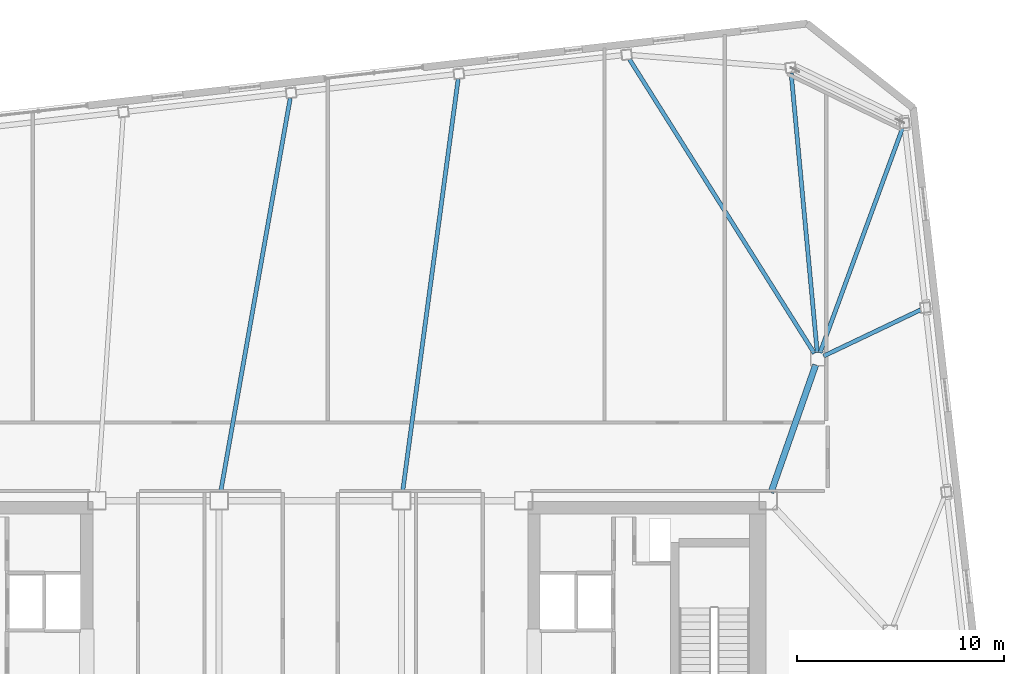
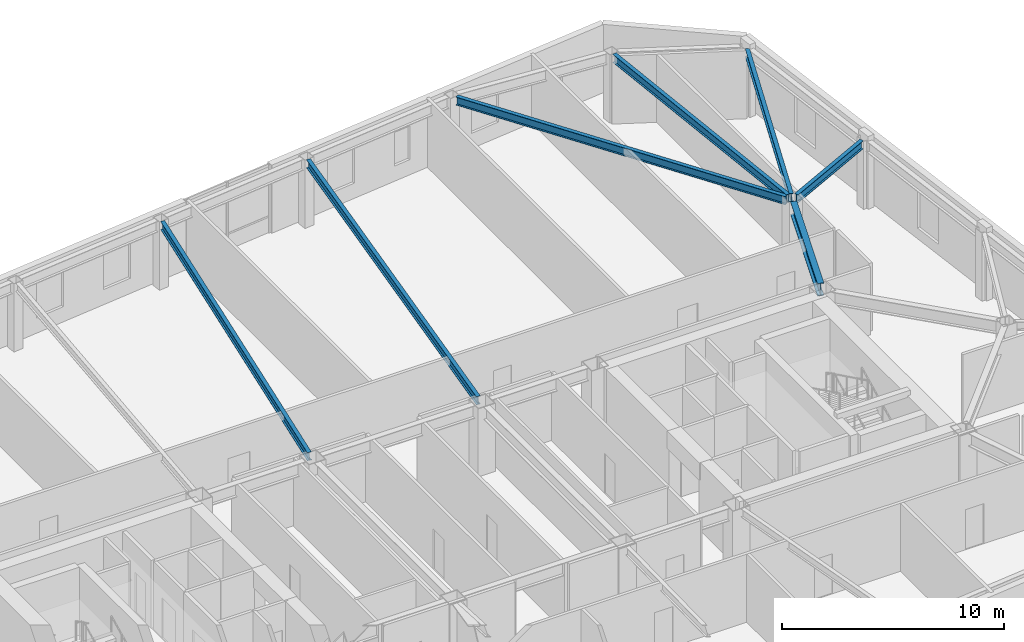
# One storey, part 10 of 19: 7 beams.
"""IFC4 building model written with IfcOpenShell, lengths in metres."""

from ifc_helpers import new_model, si_unit, direction, frame, origin, origin_2d, place, context, subcontext, project, spatial, i_section, extrude, material, material_profile, profile_set, type_object, element, save


model = new_model("IFC4")

# Units and contexts
model_context = context("Model", 3, precision=1e-05, world=origin(), true_north=direction((0.0, 1.0)))
body_context = subcontext(model_context, "Body", "Model", "MODEL_VIEW")
ifc_project = project(units=[si_unit("LENGTHUNIT", "METRE"), si_unit("AREAUNIT", "SQUARE_METRE"), si_unit("VOLUMEUNIT", "CUBIC_METRE"), si_unit("PLANEANGLEUNIT", "RADIAN"), si_unit("MASSUNIT", "GRAM", prefix="KILO")], contexts=[model_context])

# Site, building, storey
site_placement = place(None, origin())
site = spatial("IfcSite", under=ifc_project, at=site_placement, CompositionType="ELEMENT")
building_placement = place(site_placement, origin())
building = spatial("IfcBuilding", under=site, at=building_placement, Name="Tavrogorsk Clinical Tower", CompositionType="ELEMENT")
storey_placement = place(building_placement, frame((0.0, 0.0, 218.199951171875)))
storey = spatial("IfcBuildingStorey", under=building, at=storey_placement, Name="L50", CompositionType="ELEMENT", Elevation=218.199951171875)

# Beams
ifc_material_1 = material(Name="Structural steel S355", Category="steel")
ifc_material_profile_1 = material_profile(ifc_material_1, i_section(OverallWidth=0.199951171875, OverallDepth=0.449951171875, WebThickness=0.011474609375, FlangeThickness=0.01806640625, at=origin_2d()), Name="B-450x200x11.5x18")
ifc_profile_set_1 = profile_set([ifc_material_profile_1], Name="Structural steel S355")
beam_type_1 = type_object("IfcBeamType", Name="FloorBeam_B450", PredefinedType="BEAM", material=ifc_profile_set_1)
beam_1_placement = place(storey_placement, frame((24.47119140625, 13.508544921875, 3.51513671875), z_axis=(-0.092940409745, 0.99567167291, 0.0), x_axis=(-0.99567167291, -0.092940409745, 0.0)))
element("IfcBeam", 1, at=beam_1_placement, inside=storey, type_object=beam_type_1, Name="L50 Radial Floor Beam N1", PredefinedType="BEAM", context=body_context, shape_type="SweptSolid", body=[
    extrude(i_section(OverallWidth=0.199951171875, OverallDepth=0.449951171875, WebThickness=0.011474609375, FlangeThickness=0.01806640625, at=origin_2d()), origin(), (0.0, 0.0, 1.0), 13.546630859375),
])
beam_2_placement = place(storey_placement, frame((24.3349609375, 13.46240234375, 3.51513671875), z_axis=(-0.53234144439, 0.84652973166, 0.0), x_axis=(-0.84652973166, -0.53234144439, 0.0)))
element("IfcBeam", 2, at=beam_2_placement, inside=storey, type_object=beam_type_1, Name="L50 Radial Floor Beam N2", PredefinedType="BEAM", context=body_context, shape_type="SweptSolid", body=[
    extrude(i_section(OverallWidth=0.199951171875, OverallDepth=0.449951171875, WebThickness=0.011474609375, FlangeThickness=0.01806640625, at=origin_2d()), origin(), (0.0, 0.0, 1.0), 16.7734375),
])
beam_3_placement = place(storey_placement, frame((4.45458984375, 6.75634765625, 3.51513671875), z_axis=(0.13333250104, 0.991071361793, 0.0), x_axis=(-0.991071361793, 0.13333250104, 0.0)))
element("IfcBeam", 3, at=beam_3_placement, inside=storey, type_object=beam_type_1, Name="L50 Radial Floor Beam N3", PredefinedType="BEAM", context=body_context, shape_type="SweptSolid", body=[
    extrude(i_section(OverallWidth=0.199951171875, OverallDepth=0.449951171875, WebThickness=0.011474609375, FlangeThickness=0.01806640625, at=origin_2d()), origin(), (0.0, 0.0, 1.0), 20.125244140625),
])
beam_4_placement = place(storey_placement, frame((-4.32861328125, 6.753662109375, 3.51513671875), z_axis=(0.173888409009, 0.984765363532, 0.0), x_axis=(-0.984765363532, 0.173888409009, 0.0)))
element("IfcBeam", 4, at=beam_4_placement, inside=storey, type_object=beam_type_1, Name="L50 Radial Floor Beam N4", PredefinedType="BEAM", context=body_context, shape_type="SweptSolid", body=[
    extrude(i_section(OverallWidth=0.199951171875, OverallDepth=0.449951171875, WebThickness=0.011474609375, FlangeThickness=0.01806640625, at=origin_2d()), origin(), (0.0, 0.0, 1.0), 19.322021484375),
])
beam_5_placement = place(storey_placement, frame((24.77978515625, 13.333251953125, 3.51513671875), z_axis=(0.90270896244, 0.43025170439, 0.0), x_axis=(-0.43025170439, 0.90270896244, 0.0)))
element("IfcBeam", 5, at=beam_5_placement, inside=storey, type_object=beam_type_1, Name="L50 Radial Floor Beam E4", PredefinedType="BEAM", context=body_context, shape_type="SweptSolid", body=[
    extrude(i_section(OverallWidth=0.199951171875, OverallDepth=0.449951171875, WebThickness=0.011474609375, FlangeThickness=0.01806640625, at=origin_2d()), origin(), (0.0, 0.0, 1.0), 5.182861328125),
])
beam_6_placement = place(storey_placement, frame((24.60693359375, 13.490966796875, 3.51513671875), z_axis=(0.34467380093, 0.938722520744, 0.0), x_axis=(-0.938722520744, 0.34467380093, 0.0)))
element("IfcBeam", 6, at=beam_6_placement, inside=storey, type_object=beam_type_1, Name="L50 Radial Floor Beam E5", PredefinedType="BEAM", context=body_context, shape_type="SweptSolid", body=[
    extrude(i_section(OverallWidth=0.199951171875, OverallDepth=0.449951171875, WebThickness=0.011474609375, FlangeThickness=0.01806640625, at=origin_2d()), origin(), (0.0, 0.0, 1.0), 11.55126953125),
])
ifc_material_2 = material(Name="Structural steel S390", Category="steel")
ifc_material_profile_2 = material_profile(ifc_material_2, i_section(OverallWidth=0.300048828125, OverallDepth=0.699951171875, WebThickness=0.01708984375, FlangeThickness=0.028076171875, at=origin_2d()), Name="B-700x300x17x28")
ifc_profile_set_2 = profile_set([ifc_material_profile_2], Name="Structural steel S390")
beam_type_2 = type_object("IfcBeamType", Name="PrimaryGirder_B700", PredefinedType="USERDEFINED", material=ifc_profile_set_2)
beam_7_placement = place(storey_placement, frame((24.3974609375, 12.907470703125, 3.39013671875), z_axis=(-0.33065312634, -0.94375235631, 0.0), x_axis=(0.94375235631, -0.33065312634, 0.0)))
element("IfcBeam", 7, at=beam_7_placement, inside=storey, type_object=beam_type_2, Name="L50 Spine Link Girder OPG-4", ObjectType="GIRDER", PredefinedType="USERDEFINED", context=body_context, shape_type="SweptSolid", body=[
    extrude(i_section(OverallWidth=0.300048828125, OverallDepth=0.699951171875, WebThickness=0.01708984375, FlangeThickness=0.028076171875, at=origin_2d()), origin(), (0.0, 0.0, 1.0), 6.5380859375),
])

save(model, "model.ifc")
